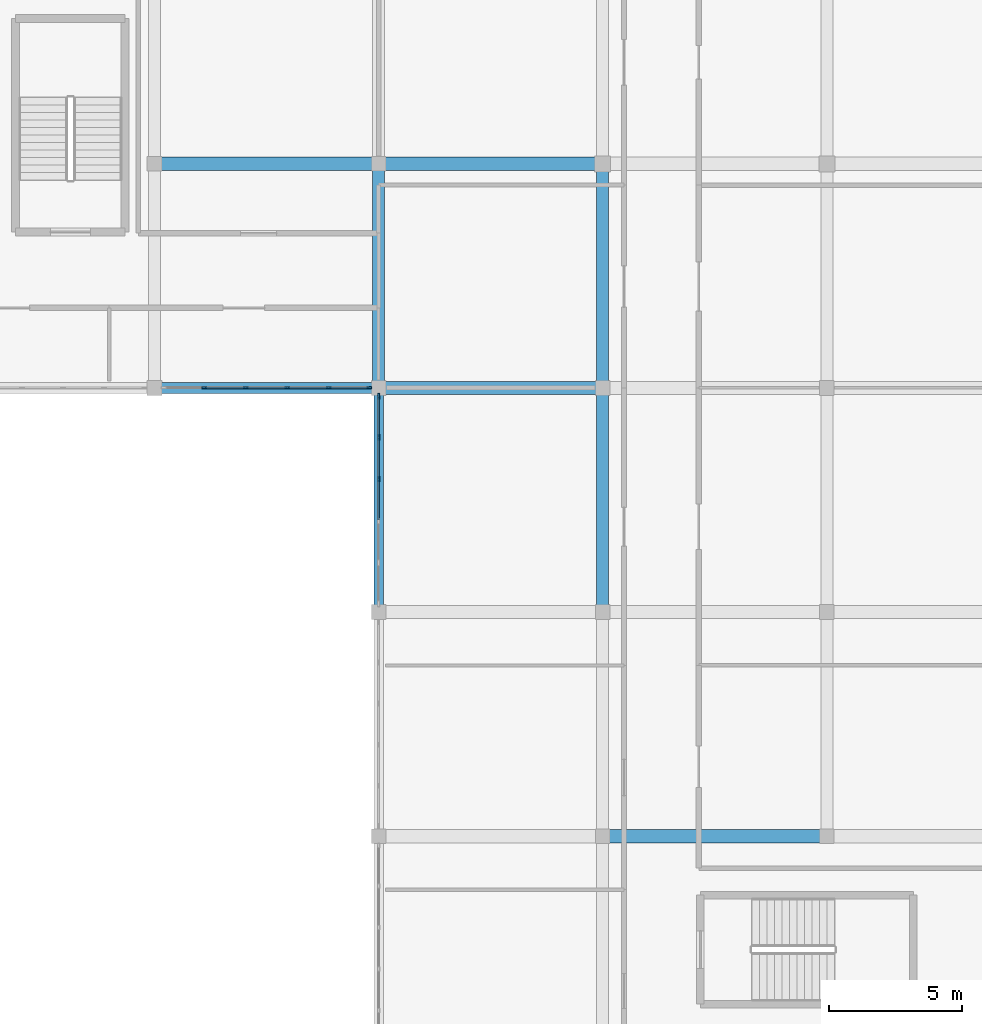
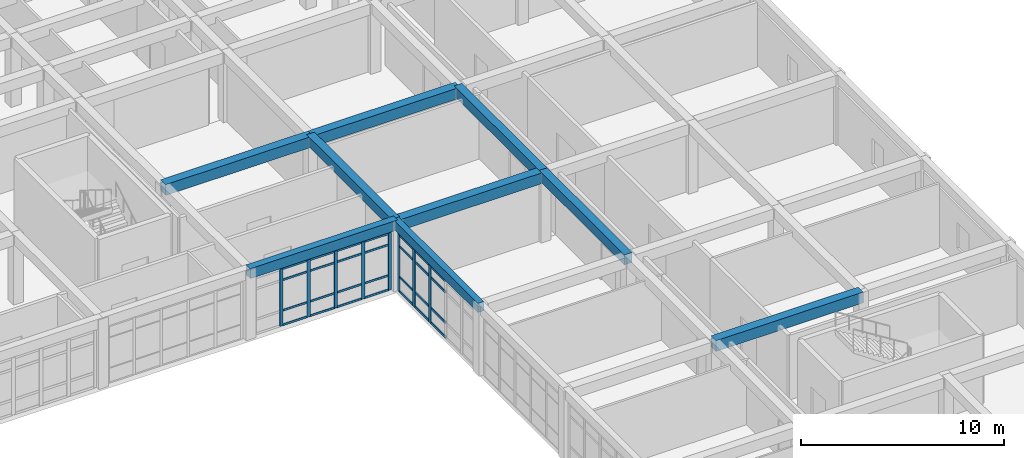
# One storey, part 30 of 77: 36 members, 9 beams, 2 elements without a shape of their own.
"""IFC4 building model written with IfcOpenShell, lengths in metres."""

from ifc_helpers import new_model, si_unit, direction, frame, origin, origin_2d, place, context, subcontext, project, spatial, rectangle, extrude, material, material_profile, profile_set, type_object, element, aggregate, save


model = new_model("IFC4")

# Units and contexts
model_context = context("Model", 3, precision=1e-05, world=origin(), true_north=direction((0.0, 1.0)))
body_context = subcontext(model_context, "Body", "Model", "MODEL_VIEW")
ifc_project = project(units=[si_unit("LENGTHUNIT", "METRE"), si_unit("AREAUNIT", "SQUARE_METRE"), si_unit("VOLUMEUNIT", "CUBIC_METRE"), si_unit("PLANEANGLEUNIT", "RADIAN"), si_unit("MASSUNIT", "GRAM", prefix="KILO")], contexts=[model_context])

# Site, building, storey
site_placement = place(None, origin())
site = spatial("IfcSite", under=ifc_project, at=site_placement, CompositionType="ELEMENT")
building_placement = place(site_placement, origin())
building = spatial("IfcBuilding", under=site, at=building_placement, Name="Varncliffe General Hospital", CompositionType="ELEMENT")
storey_placement = place(building_placement, frame((0.0, 0.0, 16.199951171875)))
storey = spatial("IfcBuildingStorey", under=building, at=storey_placement, Name="L03", CompositionType="ELEMENT", Elevation=16.199951171875)

# Beams
ifc_material_1 = material(Name="Concrete C35/45 (CSA A23.1 35 MPa)", Category="concrete")
ifc_material_profile_1 = material_profile(ifc_material_1, rectangle(XDim=0.5, YDim=0.64990234375, at=origin_2d()), Name="RC 500x650")
ifc_profile_set_1 = profile_set([ifc_material_profile_1], Name="Concrete C35/45 (CSA A23.1 35 MPa)")
beam_type_1 = type_object("IfcBeamType", Name="Beam B29 (Int RC 500x650)", PredefinedType="BEAM", material=ifc_profile_set_1)
beam_1_placement = place(storey_placement, frame((159.60009765625, 66.0, 3.875), z_axis=(1.0, 0.0, 0.0), x_axis=(0.0, 1.0, 0.0)))
element("IfcBeam", 1, at=beam_1_placement, inside=storey, type_object=beam_type_1, Name="L03 Primary Beam B29-50", PredefinedType="BEAM", context=body_context, shape_type="SweptSolid", body=[
    extrude(rectangle(XDim=0.5, YDim=0.64990234375, at=origin_2d()), origin(), (0.0, 0.0, 1.0), 8.39990234375),
])
beam_2_placement = place(storey_placement, frame((151.199951171875, 82.800048828125, 3.875), z_axis=(1.0, 0.0, 0.0), x_axis=(0.0, 1.0, 0.0)))
element("IfcBeam", 2, at=beam_2_placement, inside=storey, type_object=beam_type_1, Name="L03 Primary Beam B29-83", PredefinedType="BEAM", context=body_context, shape_type="SweptSolid", body=[
    extrude(rectangle(XDim=0.5, YDim=0.64990234375, at=origin_2d()), origin(), (0.0, 0.0, 1.0), 8.400146484375),
])
beam_3_placement = place(storey_placement, frame((142.800048828125, 91.199951171875, 3.875), z_axis=(1.0, 0.0, 0.0), x_axis=(0.0, 1.0, 0.0)))
element("IfcBeam", 3, at=beam_3_placement, inside=storey, type_object=beam_type_1, Name="L03 Primary Beam B29-100", PredefinedType="BEAM", context=body_context, shape_type="SweptSolid", body=[
    extrude(rectangle(XDim=0.5, YDim=0.64990234375, at=origin_2d()), origin(), (0.0, 0.0, 1.0), 8.39990234375),
])
beam_4_placement = place(storey_placement, frame((151.199951171875, 91.199951171875, 3.875), z_axis=(1.0, 0.0, 0.0), x_axis=(0.0, 1.0, 0.0)))
element("IfcBeam", 4, at=beam_4_placement, inside=storey, type_object=beam_type_1, Name="L03 Primary Beam B29-101", PredefinedType="BEAM", context=body_context, shape_type="SweptSolid", body=[
    extrude(rectangle(XDim=0.5, YDim=0.64990234375, at=origin_2d()), origin(), (0.0, 0.0, 1.0), 8.400146484375),
])
ifc_material_profile_2 = material_profile(ifc_material_1, rectangle(XDim=0.449951171875, YDim=0.60009765625, at=origin_2d()), Name="RC 450x600")
ifc_profile_set_2 = profile_set([ifc_material_profile_2], Name="Concrete C35/45 (CSA A23.1 35 MPa)")
beam_type_2 = type_object("IfcBeamType", Name="Beam B47 (Int RC 450x600)", PredefinedType="BEAM", material=ifc_profile_set_2)
beam_5_placement = place(storey_placement, frame((151.199951171875, 82.800048828125, 3.900146484375), z_axis=(0.0, 1.0, 0.0), x_axis=(-1.0, 0.0, 0.0)))
element("IfcBeam", 5, at=beam_5_placement, inside=storey, type_object=beam_type_2, Name="L03 Primary Beam B47-373", PredefinedType="BEAM", context=body_context, shape_type="SweptSolid", body=[
    extrude(rectangle(XDim=0.449951171875, YDim=0.60009765625, at=origin_2d()), origin(), (0.0, 0.0, 1.0), 8.39990234375),
])
beam_6_placement = place(storey_placement, frame((159.60009765625, 74.39990234375, 3.900146484375), z_axis=(0.0, 1.0, 0.0), x_axis=(-1.0, 0.0, 0.0)))
element("IfcBeam", 6, at=beam_6_placement, inside=storey, type_object=beam_type_2, Name="L03 Primary Beam B47-389", PredefinedType="BEAM", context=body_context, shape_type="SweptSolid", body=[
    extrude(rectangle(XDim=0.449951171875, YDim=0.60009765625, at=origin_2d()), origin(), (0.0, 0.0, 1.0), 8.400146484375),
])
beam_7_placement = place(storey_placement, frame((159.60009765625, 82.800048828125, 3.900146484375), z_axis=(0.0, 1.0, 0.0), x_axis=(-1.0, 0.0, 0.0)))
element("IfcBeam", 7, at=beam_7_placement, inside=storey, type_object=beam_type_2, Name="L03 Primary Beam B47-390", PredefinedType="BEAM", context=body_context, shape_type="SweptSolid", body=[
    extrude(rectangle(XDim=0.449951171875, YDim=0.60009765625, at=origin_2d()), origin(), (0.0, 0.0, 1.0), 8.39990234375),
])

# Curtain wall, members
ifc_material_2 = material(Name="Triple low-E argon insulated vision glazing", Category="glass")
curtain_wall_type_1 = type_object("IfcCurtainWallType", Name="Unitised Glazed Curtain Wall CW23 (7774x3440)", PredefinedType="USERDEFINED", material=ifc_material_2)
curtain_wall_1_placement = place(storey_placement, origin())
curtain_wall_1 = element("IfcCurtainWall", 8, at=curtain_wall_1_placement, inside=storey, type_object=curtain_wall_type_1, Name="L03 Glazed Curtain Wall CW23-169", ObjectType="GLAZED CURTAIN WALL", PredefinedType="USERDEFINED")
ifc_material_3 = material(Name="Dark bronze thermally broken aluminium framing", Category="aluminium")
ifc_material_profile_3 = material_profile(ifc_material_3, rectangle(XDim=0.074951171875, YDim=0.179931640625, at=origin_2d()), Name="ALU 75x180")
ifc_profile_set_3 = profile_set([ifc_material_profile_3], Name="Dark bronze thermally broken aluminium framing")
member_type_1 = type_object("IfcMemberType", Name="Curtain Wall Mullion CM44 (ALU 75x180)", PredefinedType="MULLION", material=ifc_profile_set_3)
member_1_placement = place(storey_placement, frame((150.849609375, 82.800048828125, 0.0), z_axis=(0.0, 0.0, 1.0), x_axis=(0.0, -1.0, 0.0)))
member_1 = element("IfcMember", 9, at=member_1_placement, type_object=member_type_1, Name="CW23 mullion 1", PredefinedType="MULLION", context=body_context, shape_type="SweptSolid", body=[
    extrude(rectangle(XDim=0.074951171875, YDim=0.179931640625, at=origin_2d()), origin(), (0.0, 0.0, 1.0), 3.43994140625),
])
member_2_placement = place(storey_placement, frame((149.332275390625, 82.800048828125, 0.0), z_axis=(0.0, 0.0, 1.0), x_axis=(0.0, -1.0, 0.0)))
member_2 = element("IfcMember", 10, at=member_2_placement, type_object=member_type_1, Name="CW23 mullion 2", PredefinedType="MULLION", context=body_context, shape_type="SweptSolid", body=[
    extrude(rectangle(XDim=0.074951171875, YDim=0.179931640625, at=origin_2d()), origin(), (0.0, 0.0, 1.0), 3.43994140625),
])
member_3_placement = place(storey_placement, frame((147.77734375, 82.800048828125, 0.0), z_axis=(0.0, 0.0, 1.0), x_axis=(0.0, -1.0, 0.0)))
member_3 = element("IfcMember", 11, at=member_3_placement, type_object=member_type_1, Name="CW23 mullion 3", PredefinedType="MULLION", context=body_context, shape_type="SweptSolid", body=[
    extrude(rectangle(XDim=0.074951171875, YDim=0.179931640625, at=origin_2d()), origin(), (0.0, 0.0, 1.0), 3.43994140625),
])
member_4_placement = place(storey_placement, frame((146.22265625, 82.800048828125, 0.0), z_axis=(0.0, 0.0, 1.0), x_axis=(0.0, -1.0, 0.0)))
member_4 = element("IfcMember", 12, at=member_4_placement, type_object=member_type_1, Name="CW23 mullion 4", PredefinedType="MULLION", context=body_context, shape_type="SweptSolid", body=[
    extrude(rectangle(XDim=0.074951171875, YDim=0.179931640625, at=origin_2d()), origin(), (0.0, 0.0, 1.0), 3.43994140625),
])
member_5_placement = place(storey_placement, frame((144.667724609375, 82.800048828125, 0.0), z_axis=(0.0, 0.0, 1.0), x_axis=(0.0, -1.0, 0.0)))
member_5 = element("IfcMember", 13, at=member_5_placement, type_object=member_type_1, Name="CW23 mullion 5", PredefinedType="MULLION", context=body_context, shape_type="SweptSolid", body=[
    extrude(rectangle(XDim=0.074951171875, YDim=0.179931640625, at=origin_2d()), origin(), (0.0, 0.0, 1.0), 3.43994140625),
])

curtain_wall_type_2 = type_object("IfcCurtainWallType", Name="Unitised Glazed Curtain Wall CW83 (7854x3440)", PredefinedType="USERDEFINED", material=ifc_material_2)
curtain_wall_2_placement = place(storey_placement, origin())
curtain_wall_2 = element("IfcCurtainWall", 14, at=curtain_wall_2_placement, inside=storey, type_object=curtain_wall_type_2, Name="L03 Glazed Curtain Wall CW83-168", ObjectType="GLAZED CURTAIN WALL", PredefinedType="USERDEFINED")
ifc_material_profile_4 = material_profile(ifc_material_3, rectangle(XDim=0.074951171875, YDim=0.219970703125, at=origin_2d()), Name="ALU 75x220")
ifc_profile_set_4 = profile_set([ifc_material_profile_4], Name="Dark bronze thermally broken aluminium framing")
member_type_2 = type_object("IfcMemberType", Name="Curtain Wall Mullion CM74 (ALU 75x220)", PredefinedType="MULLION", material=ifc_profile_set_4)
member_6_placement = place(storey_placement, frame((151.199951171875, 79.385498046875, 0.0), z_axis=(0.0, 0.0, 1.0), x_axis=(-1.0, 0.0, 0.0)))
member_6 = element("IfcMember", 15, at=member_6_placement, type_object=member_type_2, Name="CW83 mullion 4", PredefinedType="MULLION", context=body_context, shape_type="SweptSolid", body=[
    extrude(rectangle(XDim=0.074951171875, YDim=0.219970703125, at=origin_2d()), origin(), (0.0, 0.0, 1.0), 3.43994140625),
])
member_7_placement = place(storey_placement, frame((151.199951171875, 80.956298828125, 0.0), z_axis=(0.0, 0.0, 1.0), x_axis=(-1.0, 0.0, 0.0)))
member_7 = element("IfcMember", 16, at=member_7_placement, type_object=member_type_2, Name="CW83 mullion 5", PredefinedType="MULLION", context=body_context, shape_type="SweptSolid", body=[
    extrude(rectangle(XDim=0.074951171875, YDim=0.219970703125, at=origin_2d()), origin(), (0.0, 0.0, 1.0), 3.43994140625),
])
member_8_placement = place(storey_placement, frame((151.199951171875, 82.489501953125, 0.0), z_axis=(0.0, 0.0, 1.0), x_axis=(-1.0, 0.0, 0.0)))
member_8 = element("IfcMember", 17, at=member_8_placement, type_object=member_type_2, Name="CW83 mullion 6", PredefinedType="MULLION", context=body_context, shape_type="SweptSolid", body=[
    extrude(rectangle(XDim=0.074951171875, YDim=0.219970703125, at=origin_2d()), origin(), (0.0, 0.0, 1.0), 3.43994140625),
])

# Member
ifc_material_profile_5 = material_profile(ifc_material_3, rectangle(XDim=0.06005859375, YDim=0.1201171875, at=origin_2d()), Name="ALU 60x120")
ifc_profile_set_5 = profile_set([ifc_material_profile_5], Name="Dark bronze thermally broken aluminium framing")
member_type_3 = type_object("IfcMemberType", Name="Curtain Wall Transom CT14 (ALU 60x120)", PredefinedType="USERDEFINED", material=ifc_profile_set_5)
member_9_placement = place(storey_placement, frame((150.81201171875, 82.800048828125, 0.030029296875), z_axis=(-1.0, 0.0, 0.0), x_axis=(0.0, -1.0, 0.0)))
member_9 = element("IfcMember", 18, at=member_9_placement, type_object=member_type_3, Name="CW23 transom 1.1", ObjectType="TRANSOM", PredefinedType="USERDEFINED", context=body_context, shape_type="SweptSolid", body=[
    extrude(rectangle(XDim=0.06005859375, YDim=0.1201171875, at=origin_2d()), origin(), (0.0, 0.0, 1.0), 1.4423828125),
])

member_10_placement = place(storey_placement, frame((150.81201171875, 82.800048828125, 0.900146484375), z_axis=(-1.0, 0.0, 0.0), x_axis=(0.0, -1.0, 0.0)))
member_10 = element("IfcMember", 19, at=member_10_placement, type_object=member_type_3, Name="CW23 transom 1.2", ObjectType="TRANSOM", PredefinedType="USERDEFINED", context=body_context, shape_type="SweptSolid", body=[
    extrude(rectangle(XDim=0.06005859375, YDim=0.1201171875, at=origin_2d()), origin(), (0.0, 0.0, 1.0), 1.4423828125),
])

member_11_placement = place(storey_placement, frame((150.81201171875, 82.800048828125, 2.739990234375), z_axis=(-1.0, 0.0, 0.0), x_axis=(0.0, -1.0, 0.0)))
member_11 = element("IfcMember", 20, at=member_11_placement, type_object=member_type_3, Name="CW23 transom 1.3", ObjectType="TRANSOM", PredefinedType="USERDEFINED", context=body_context, shape_type="SweptSolid", body=[
    extrude(rectangle(XDim=0.06005859375, YDim=0.1201171875, at=origin_2d()), origin(), (0.0, 0.0, 1.0), 1.4423828125),
])

member_12_placement = place(storey_placement, frame((150.81201171875, 82.800048828125, 3.41015625), z_axis=(-1.0, 0.0, 0.0), x_axis=(0.0, -1.0, 0.0)))
member_12 = element("IfcMember", 21, at=member_12_placement, type_object=member_type_3, Name="CW23 transom 1.4", ObjectType="TRANSOM", PredefinedType="USERDEFINED", context=body_context, shape_type="SweptSolid", body=[
    extrude(rectangle(XDim=0.06005859375, YDim=0.1201171875, at=origin_2d()), origin(), (0.0, 0.0, 1.0), 1.4423828125),
])

member_13_placement = place(storey_placement, frame((149.294677734375, 82.800048828125, 0.030029296875), z_axis=(-1.0, 0.0, 0.0), x_axis=(0.0, -1.0, 0.0)))
member_13 = element("IfcMember", 22, at=member_13_placement, type_object=member_type_3, Name="CW23 transom 2.1", ObjectType="TRANSOM", PredefinedType="USERDEFINED", context=body_context, shape_type="SweptSolid", body=[
    extrude(rectangle(XDim=0.06005859375, YDim=0.1201171875, at=origin_2d()), origin(), (0.0, 0.0, 1.0), 1.479736328125),
])

member_14_placement = place(storey_placement, frame((149.294677734375, 82.800048828125, 0.900146484375), z_axis=(-1.0, 0.0, 0.0), x_axis=(0.0, -1.0, 0.0)))
member_14 = element("IfcMember", 23, at=member_14_placement, type_object=member_type_3, Name="CW23 transom 2.2", ObjectType="TRANSOM", PredefinedType="USERDEFINED", context=body_context, shape_type="SweptSolid", body=[
    extrude(rectangle(XDim=0.06005859375, YDim=0.1201171875, at=origin_2d()), origin(), (0.0, 0.0, 1.0), 1.479736328125),
])

member_15_placement = place(storey_placement, frame((149.294677734375, 82.800048828125, 2.739990234375), z_axis=(-1.0, 0.0, 0.0), x_axis=(0.0, -1.0, 0.0)))
member_15 = element("IfcMember", 24, at=member_15_placement, type_object=member_type_3, Name="CW23 transom 2.3", ObjectType="TRANSOM", PredefinedType="USERDEFINED", context=body_context, shape_type="SweptSolid", body=[
    extrude(rectangle(XDim=0.06005859375, YDim=0.1201171875, at=origin_2d()), origin(), (0.0, 0.0, 1.0), 1.479736328125),
])

member_16_placement = place(storey_placement, frame((149.294677734375, 82.800048828125, 3.41015625), z_axis=(-1.0, 0.0, 0.0), x_axis=(0.0, -1.0, 0.0)))
member_16 = element("IfcMember", 25, at=member_16_placement, type_object=member_type_3, Name="CW23 transom 2.4", ObjectType="TRANSOM", PredefinedType="USERDEFINED", context=body_context, shape_type="SweptSolid", body=[
    extrude(rectangle(XDim=0.06005859375, YDim=0.1201171875, at=origin_2d()), origin(), (0.0, 0.0, 1.0), 1.479736328125),
])

member_17_placement = place(storey_placement, frame((147.739990234375, 82.800048828125, 0.030029296875), z_axis=(-1.0, 0.0, 0.0), x_axis=(0.0, -1.0, 0.0)))
member_17 = element("IfcMember", 26, at=member_17_placement, type_object=member_type_3, Name="CW23 transom 3.1", ObjectType="TRANSOM", PredefinedType="USERDEFINED", context=body_context, shape_type="SweptSolid", body=[
    extrude(rectangle(XDim=0.06005859375, YDim=0.1201171875, at=origin_2d()), origin(), (0.0, 0.0, 1.0), 1.47998046875),
])

member_18_placement = place(storey_placement, frame((147.739990234375, 82.800048828125, 0.900146484375), z_axis=(-1.0, 0.0, 0.0), x_axis=(0.0, -1.0, 0.0)))
member_18 = element("IfcMember", 27, at=member_18_placement, type_object=member_type_3, Name="CW23 transom 3.2", ObjectType="TRANSOM", PredefinedType="USERDEFINED", context=body_context, shape_type="SweptSolid", body=[
    extrude(rectangle(XDim=0.06005859375, YDim=0.1201171875, at=origin_2d()), origin(), (0.0, 0.0, 1.0), 1.47998046875),
])

member_19_placement = place(storey_placement, frame((147.739990234375, 82.800048828125, 2.739990234375), z_axis=(-1.0, 0.0, 0.0), x_axis=(0.0, -1.0, 0.0)))
member_19 = element("IfcMember", 28, at=member_19_placement, type_object=member_type_3, Name="CW23 transom 3.3", ObjectType="TRANSOM", PredefinedType="USERDEFINED", context=body_context, shape_type="SweptSolid", body=[
    extrude(rectangle(XDim=0.06005859375, YDim=0.1201171875, at=origin_2d()), origin(), (0.0, 0.0, 1.0), 1.47998046875),
])

member_20_placement = place(storey_placement, frame((147.739990234375, 82.800048828125, 3.41015625), z_axis=(-1.0, 0.0, 0.0), x_axis=(0.0, -1.0, 0.0)))
member_20 = element("IfcMember", 29, at=member_20_placement, type_object=member_type_3, Name="CW23 transom 3.4", ObjectType="TRANSOM", PredefinedType="USERDEFINED", context=body_context, shape_type="SweptSolid", body=[
    extrude(rectangle(XDim=0.06005859375, YDim=0.1201171875, at=origin_2d()), origin(), (0.0, 0.0, 1.0), 1.47998046875),
])

member_21_placement = place(storey_placement, frame((146.18505859375, 82.800048828125, 0.030029296875), z_axis=(-1.0, 0.0, 0.0), x_axis=(0.0, -1.0, 0.0)))
member_21 = element("IfcMember", 30, at=member_21_placement, type_object=member_type_3, Name="CW23 transom 4.1", ObjectType="TRANSOM", PredefinedType="USERDEFINED", context=body_context, shape_type="SweptSolid", body=[
    extrude(rectangle(XDim=0.06005859375, YDim=0.1201171875, at=origin_2d()), origin(), (0.0, 0.0, 1.0), 1.479736328125),
])

member_22_placement = place(storey_placement, frame((146.18505859375, 82.800048828125, 0.900146484375), z_axis=(-1.0, 0.0, 0.0), x_axis=(0.0, -1.0, 0.0)))
member_22 = element("IfcMember", 31, at=member_22_placement, type_object=member_type_3, Name="CW23 transom 4.2", ObjectType="TRANSOM", PredefinedType="USERDEFINED", context=body_context, shape_type="SweptSolid", body=[
    extrude(rectangle(XDim=0.06005859375, YDim=0.1201171875, at=origin_2d()), origin(), (0.0, 0.0, 1.0), 1.479736328125),
])

member_23_placement = place(storey_placement, frame((146.18505859375, 82.800048828125, 2.739990234375), z_axis=(-1.0, 0.0, 0.0), x_axis=(0.0, -1.0, 0.0)))
member_23 = element("IfcMember", 32, at=member_23_placement, type_object=member_type_3, Name="CW23 transom 4.3", ObjectType="TRANSOM", PredefinedType="USERDEFINED", context=body_context, shape_type="SweptSolid", body=[
    extrude(rectangle(XDim=0.06005859375, YDim=0.1201171875, at=origin_2d()), origin(), (0.0, 0.0, 1.0), 1.479736328125),
])

member_24_placement = place(storey_placement, frame((146.18505859375, 82.800048828125, 3.41015625), z_axis=(-1.0, 0.0, 0.0), x_axis=(0.0, -1.0, 0.0)))
member_24 = element("IfcMember", 33, at=member_24_placement, type_object=member_type_3, Name="CW23 transom 4.4", ObjectType="TRANSOM", PredefinedType="USERDEFINED", context=body_context, shape_type="SweptSolid", body=[
    extrude(rectangle(XDim=0.06005859375, YDim=0.1201171875, at=origin_2d()), origin(), (0.0, 0.0, 1.0), 1.479736328125),
])

aggregate(curtain_wall_1, [member_1, member_2, member_3, member_4, member_5, member_9, member_10, member_11, member_12, member_13, member_14, member_15, member_16, member_17, member_18, member_19, member_20, member_21, member_22, member_23, member_24])

ifc_material_profile_6 = material_profile(ifc_material_3, rectangle(XDim=0.06494140625, YDim=0.139892578125, at=origin_2d()), Name="ALU 65x140")
ifc_profile_set_6 = profile_set([ifc_material_profile_6], Name="Dark bronze thermally broken aluminium framing")
member_type_4 = type_object("IfcMemberType", Name="Curtain Wall Transom CT69 (ALU 65x140)", PredefinedType="USERDEFINED", material=ifc_profile_set_6)
member_25_placement = place(storey_placement, frame((151.199951171875, 77.85205078125, 0.032470703125), z_axis=(0.0, 1.0, 0.0), x_axis=(-1.0, 0.0, 0.0)))
member_25 = element("IfcMember", 34, at=member_25_placement, type_object=member_type_4, Name="CW83 transom 3.1", ObjectType="TRANSOM", PredefinedType="USERDEFINED", context=body_context, shape_type="SweptSolid", body=[
    extrude(rectangle(XDim=0.06494140625, YDim=0.139892578125, at=origin_2d()), origin(), (0.0, 0.0, 1.0), 1.495849609375),
])

member_26_placement = place(storey_placement, frame((151.199951171875, 77.85205078125, 0.900146484375), z_axis=(0.0, 1.0, 0.0), x_axis=(-1.0, 0.0, 0.0)))
member_26 = element("IfcMember", 35, at=member_26_placement, type_object=member_type_4, Name="CW83 transom 3.2", ObjectType="TRANSOM", PredefinedType="USERDEFINED", context=body_context, shape_type="SweptSolid", body=[
    extrude(rectangle(XDim=0.06494140625, YDim=0.139892578125, at=origin_2d()), origin(), (0.0, 0.0, 1.0), 1.495849609375),
])

member_27_placement = place(storey_placement, frame((151.199951171875, 77.85205078125, 2.739990234375), z_axis=(0.0, 1.0, 0.0), x_axis=(-1.0, 0.0, 0.0)))
member_27 = element("IfcMember", 36, at=member_27_placement, type_object=member_type_4, Name="CW83 transom 3.3", ObjectType="TRANSOM", PredefinedType="USERDEFINED", context=body_context, shape_type="SweptSolid", body=[
    extrude(rectangle(XDim=0.06494140625, YDim=0.139892578125, at=origin_2d()), origin(), (0.0, 0.0, 1.0), 1.495849609375),
])

member_28_placement = place(storey_placement, frame((151.199951171875, 77.85205078125, 3.407470703125), z_axis=(0.0, 1.0, 0.0), x_axis=(-1.0, 0.0, 0.0)))
member_28 = element("IfcMember", 37, at=member_28_placement, type_object=member_type_4, Name="CW83 transom 3.4", ObjectType="TRANSOM", PredefinedType="USERDEFINED", context=body_context, shape_type="SweptSolid", body=[
    extrude(rectangle(XDim=0.06494140625, YDim=0.139892578125, at=origin_2d()), origin(), (0.0, 0.0, 1.0), 1.495849609375),
])

member_29_placement = place(storey_placement, frame((151.199951171875, 79.4228515625, 0.032470703125), z_axis=(0.0, 1.0, 0.0), x_axis=(-1.0, 0.0, 0.0)))
member_29 = element("IfcMember", 38, at=member_29_placement, type_object=member_type_4, Name="CW83 transom 4.1", ObjectType="TRANSOM", PredefinedType="USERDEFINED", context=body_context, shape_type="SweptSolid", body=[
    extrude(rectangle(XDim=0.06494140625, YDim=0.139892578125, at=origin_2d()), origin(), (0.0, 0.0, 1.0), 1.495849609375),
])

member_30_placement = place(storey_placement, frame((151.199951171875, 79.4228515625, 0.900146484375), z_axis=(0.0, 1.0, 0.0), x_axis=(-1.0, 0.0, 0.0)))
member_30 = element("IfcMember", 39, at=member_30_placement, type_object=member_type_4, Name="CW83 transom 4.2", ObjectType="TRANSOM", PredefinedType="USERDEFINED", context=body_context, shape_type="SweptSolid", body=[
    extrude(rectangle(XDim=0.06494140625, YDim=0.139892578125, at=origin_2d()), origin(), (0.0, 0.0, 1.0), 1.495849609375),
])

member_31_placement = place(storey_placement, frame((151.199951171875, 79.4228515625, 2.739990234375), z_axis=(0.0, 1.0, 0.0), x_axis=(-1.0, 0.0, 0.0)))
member_31 = element("IfcMember", 40, at=member_31_placement, type_object=member_type_4, Name="CW83 transom 4.3", ObjectType="TRANSOM", PredefinedType="USERDEFINED", context=body_context, shape_type="SweptSolid", body=[
    extrude(rectangle(XDim=0.06494140625, YDim=0.139892578125, at=origin_2d()), origin(), (0.0, 0.0, 1.0), 1.495849609375),
])

member_32_placement = place(storey_placement, frame((151.199951171875, 79.4228515625, 3.407470703125), z_axis=(0.0, 1.0, 0.0), x_axis=(-1.0, 0.0, 0.0)))
member_32 = element("IfcMember", 41, at=member_32_placement, type_object=member_type_4, Name="CW83 transom 4.4", ObjectType="TRANSOM", PredefinedType="USERDEFINED", context=body_context, shape_type="SweptSolid", body=[
    extrude(rectangle(XDim=0.06494140625, YDim=0.139892578125, at=origin_2d()), origin(), (0.0, 0.0, 1.0), 1.495849609375),
])

member_33_placement = place(storey_placement, frame((151.199951171875, 80.99365234375, 0.032470703125), z_axis=(0.0, 1.0, 0.0), x_axis=(-1.0, 0.0, 0.0)))
member_33 = element("IfcMember", 42, at=member_33_placement, type_object=member_type_4, Name="CW83 transom 5.1", ObjectType="TRANSOM", PredefinedType="USERDEFINED", context=body_context, shape_type="SweptSolid", body=[
    extrude(rectangle(XDim=0.06494140625, YDim=0.139892578125, at=origin_2d()), origin(), (0.0, 0.0, 1.0), 1.458251953125),
])

member_34_placement = place(storey_placement, frame((151.199951171875, 80.99365234375, 0.900146484375), z_axis=(0.0, 1.0, 0.0), x_axis=(-1.0, 0.0, 0.0)))
member_34 = element("IfcMember", 43, at=member_34_placement, type_object=member_type_4, Name="CW83 transom 5.2", ObjectType="TRANSOM", PredefinedType="USERDEFINED", context=body_context, shape_type="SweptSolid", body=[
    extrude(rectangle(XDim=0.06494140625, YDim=0.139892578125, at=origin_2d()), origin(), (0.0, 0.0, 1.0), 1.458251953125),
])

member_35_placement = place(storey_placement, frame((151.199951171875, 80.99365234375, 2.739990234375), z_axis=(0.0, 1.0, 0.0), x_axis=(-1.0, 0.0, 0.0)))
member_35 = element("IfcMember", 44, at=member_35_placement, type_object=member_type_4, Name="CW83 transom 5.3", ObjectType="TRANSOM", PredefinedType="USERDEFINED", context=body_context, shape_type="SweptSolid", body=[
    extrude(rectangle(XDim=0.06494140625, YDim=0.139892578125, at=origin_2d()), origin(), (0.0, 0.0, 1.0), 1.458251953125),
])

member_36_placement = place(storey_placement, frame((151.199951171875, 80.99365234375, 3.407470703125), z_axis=(0.0, 1.0, 0.0), x_axis=(-1.0, 0.0, 0.0)))
member_36 = element("IfcMember", 45, at=member_36_placement, type_object=member_type_4, Name="CW83 transom 5.4", ObjectType="TRANSOM", PredefinedType="USERDEFINED", context=body_context, shape_type="SweptSolid", body=[
    extrude(rectangle(XDim=0.06494140625, YDim=0.139892578125, at=origin_2d()), origin(), (0.0, 0.0, 1.0), 1.458251953125),
])

aggregate(curtain_wall_2, [member_6, member_7, member_8, member_25, member_26, member_27, member_28, member_29, member_30, member_31, member_32, member_33, member_34, member_35, member_36])

# Beams
ifc_material_profile_7 = material_profile(ifc_material_1, rectangle(XDim=0.35009765625, YDim=0.550048828125, at=origin_2d()), Name="RC 350x550")
ifc_profile_set_7 = profile_set([ifc_material_profile_7], Name="Concrete C35/45 (CSA A23.1 35 MPa)")
beam_type_3 = type_object("IfcBeamType", Name="Spandrel SP20 (Ext RC 350x550)", PredefinedType="SPANDREL", material=ifc_profile_set_7)
beam_8_placement = place(storey_placement, frame((151.199951171875, 74.39990234375, 3.925048828125), z_axis=(0.0, 1.0, 0.0), x_axis=(-1.0, 0.0, 0.0)))
element("IfcBeam", 46, at=beam_8_placement, inside=storey, type_object=beam_type_3, Name="L03 Spandrel Beam SP20-372", PredefinedType="SPANDREL", context=body_context, shape_type="SweptSolid", body=[
    extrude(rectangle(XDim=0.35009765625, YDim=0.550048828125, at=origin_2d()), origin(), (0.0, 0.0, 1.0), 8.400146484375),
])
ifc_material_profile_8 = material_profile(ifc_material_1, rectangle(XDim=0.39990234375, YDim=0.60009765625, at=origin_2d()), Name="RC 400x600")
ifc_profile_set_8 = profile_set([ifc_material_profile_8], Name="Concrete C35/45 (CSA A23.1 35 MPa)")
beam_type_4 = type_object("IfcBeamType", Name="Spandrel SP58 (Ext RC 400x600B)", PredefinedType="SPANDREL", material=ifc_profile_set_8)
beam_9_placement = place(storey_placement, frame((142.800048828125, 82.800048828125, 3.900146484375), z_axis=(1.0, 0.0, 0.0), x_axis=(0.0, 1.0, 0.0)))
element("IfcBeam", 47, at=beam_9_placement, inside=storey, type_object=beam_type_4, Name="L03 Spandrel Beam SP58-82", PredefinedType="SPANDREL", context=body_context, shape_type="SweptSolid", body=[
    extrude(rectangle(XDim=0.39990234375, YDim=0.60009765625, at=origin_2d()), origin(), (0.0, 0.0, 1.0), 8.39990234375),
])

save(model, "model.ifc")
